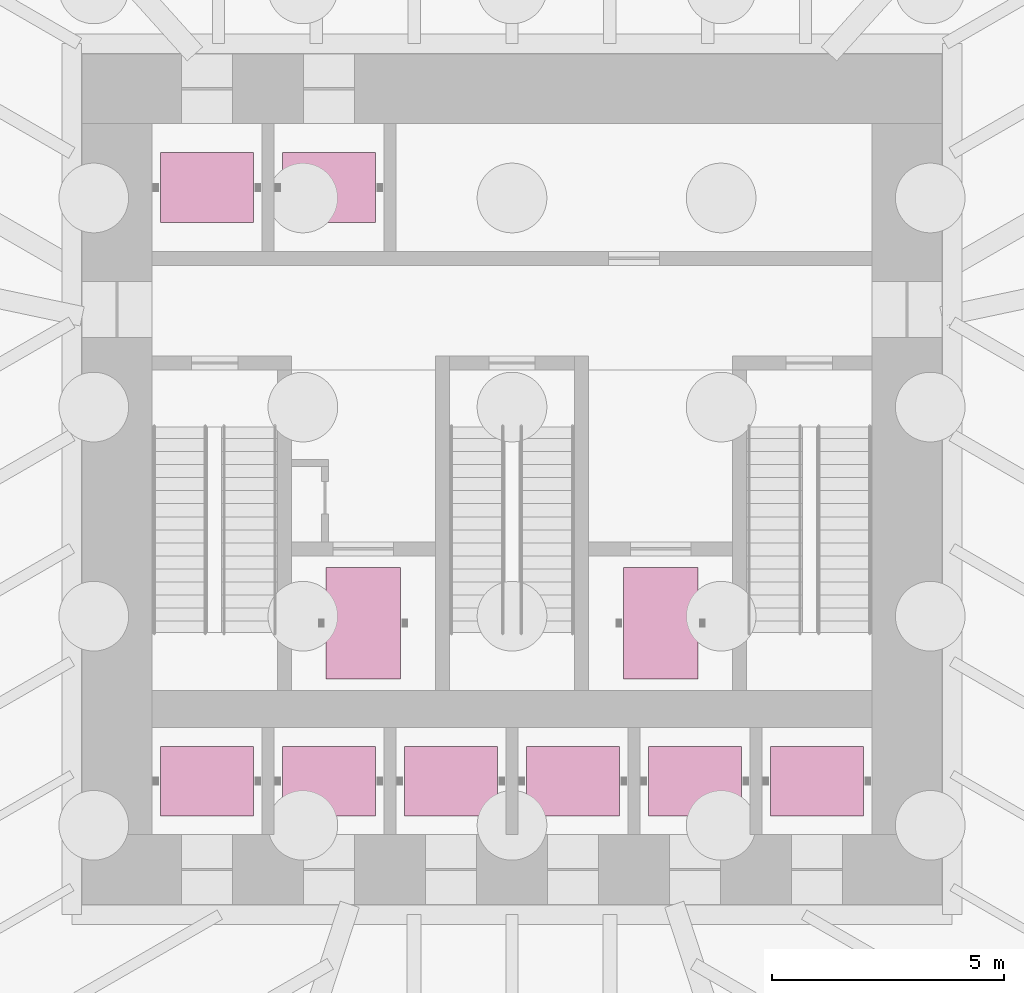
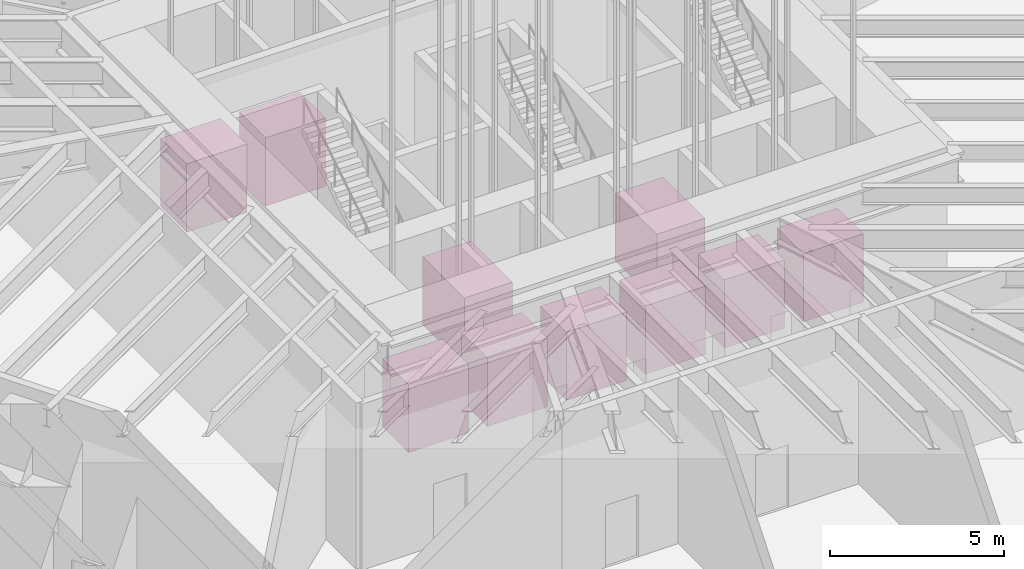
# One storey, part 29 of 34: 10 transport elements.
"""IFC4 building model written with IfcOpenShell, lengths in metres."""

from ifc_helpers import new_model, si_unit, direction, frame, origin, origin_2d, place, context, subcontext, project, spatial, rectangle, extrude, material, type_object, element, save


model = new_model("IFC4")

# Units and contexts
model_context = context("Model", 3, precision=1e-05, world=origin(), true_north=direction((0.0, 1.0)))
body_context = subcontext(model_context, "Body", "Model", "MODEL_VIEW")
ifc_project = project(units=[si_unit("LENGTHUNIT", "METRE"), si_unit("AREAUNIT", "SQUARE_METRE"), si_unit("VOLUMEUNIT", "CUBIC_METRE"), si_unit("PLANEANGLEUNIT", "RADIAN"), si_unit("MASSUNIT", "GRAM", prefix="KILO")], contexts=[model_context])

# Site, building, storey
site_placement = place(None, origin())
site = spatial("IfcSite", under=ifc_project, at=site_placement, CompositionType="ELEMENT")
building_placement = place(site_placement, origin())
building = spatial("IfcBuilding", under=site, at=building_placement, Name="Sandreach Pilgrim Tower", CompositionType="ELEMENT")
storey_placement = place(building_placement, origin())
storey = spatial("IfcBuildingStorey", under=building, at=storey_placement, Name="L00", CompositionType="ELEMENT", Elevation=0.0)

# Transport elements
ifc_material_1 = material(Name="Steel lift car, stainless steel finish", Category="steel")
transport_element_type_1 = type_object("IfcTransportElementType", Name="Firefighting lift car", PredefinedType="ELEVATOR", material=ifc_material_1)
for number, where, z_axis, x_axis, name in (
    (1, (-3.199951171875, -4.64990234375, 0.0), (0.0, 0.0, 1.0), (1.0, 0.0, 0.0), "Firefighting lift FS1"),
    (2, (3.199951171875, -4.64990234375, 0.0), (0.0, 0.0, 1.0), (1.0, 0.0, 0.0), "Firefighting lift FS2"),
):
    element("IfcTransportElement", number, at=place(storey_placement, frame(where, z_axis=z_axis, x_axis=x_axis)), inside=storey, type_object=transport_element_type_1, Name=name, PredefinedType="ELEVATOR", context=body_context, shape_type="SweptSolid", body=[
        extrude(rectangle(XDim=1.60009765625, YDim=2.39990234375, at=origin_2d()), origin(), (0.0, 0.0, 1.0), 2.39990234375),
    ])
ifc_material_2 = material(Name="Steel lift car, stainless steel finish", Category="steel")
transport_element_type_2 = type_object("IfcTransportElementType", Name="Passenger lift car", PredefinedType="ELEVATOR", material=ifc_material_2)
for number, where, z_axis, x_axis, name in (
    (3, (-6.5625, 4.72509765625, 0.0), (0.0, 0.0, 1.0), (1.0, 0.0, 0.0), "Lift SH1"),
    (4, (-3.9375, 4.72509765625, 0.0), (0.0, 0.0, 1.0), (1.0, 0.0, 0.0), "Lift SH2"),
    (5, (-6.5625, -8.050048828125, 0.0), (0.0, 0.0, 1.0), (1.0, 0.0, 0.0), "Lift Z1A"),
    (6, (-3.9375, -8.050048828125, 0.0), (0.0, 0.0, 1.0), (1.0, 0.0, 0.0), "Lift Z1B"),
    (7, (-1.3125, -8.050048828125, 0.0), (0.0, 0.0, 1.0), (1.0, 0.0, 0.0), "Lift Z1C"),
    (8, (1.3125, -8.050048828125, 0.0), (0.0, 0.0, 1.0), (1.0, 0.0, 0.0), "Lift Z2A"),
    (9, (3.9375, -8.050048828125, 0.0), (0.0, 0.0, 1.0), (1.0, 0.0, 0.0), "Lift Z2B"),
    (10, (6.5625, -8.050048828125, 0.0), (0.0, 0.0, 1.0), (1.0, 0.0, 0.0), "Lift Z2C"),
):
    element("IfcTransportElement", number, at=place(storey_placement, frame(where, z_axis=z_axis, x_axis=x_axis)), inside=storey, type_object=transport_element_type_2, Name=name, PredefinedType="ELEVATOR", context=body_context, shape_type="SweptSolid", body=[
        extrude(rectangle(XDim=2.0, YDim=1.5, at=origin_2d()), origin(), (0.0, 0.0, 1.0), 2.39990234375),
    ])

save(model, "model.ifc")
